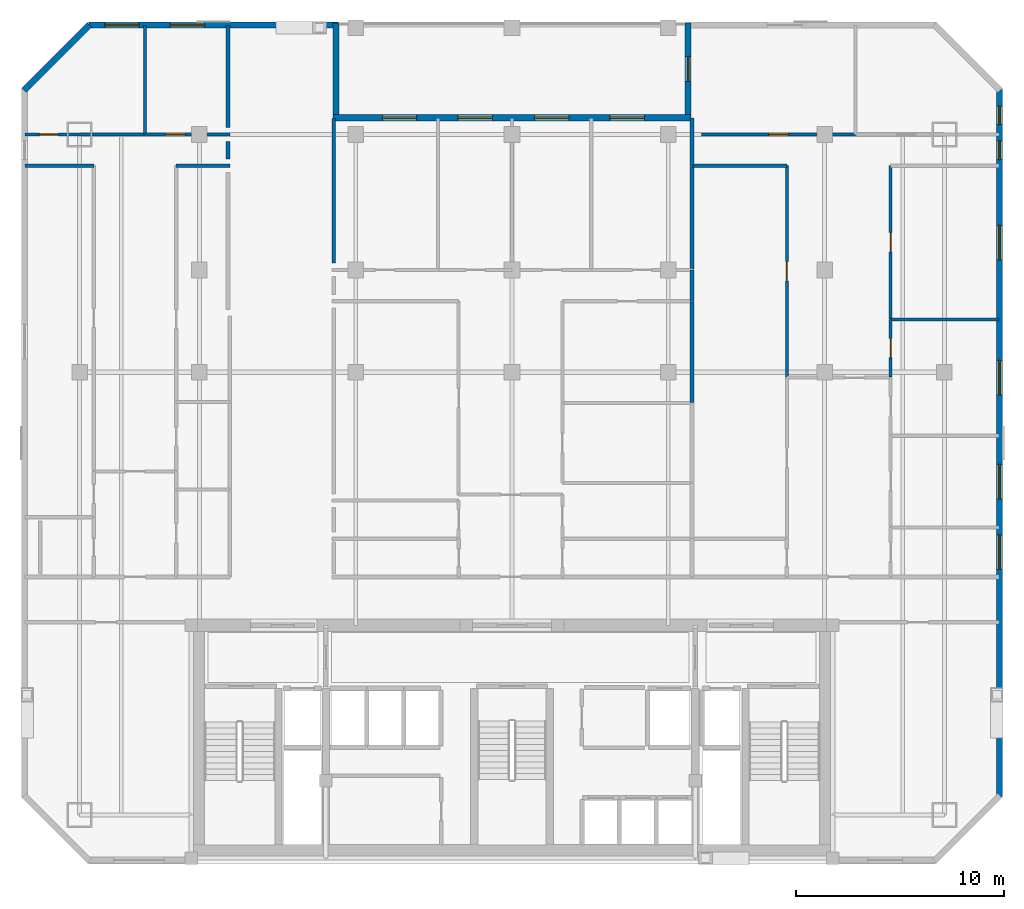
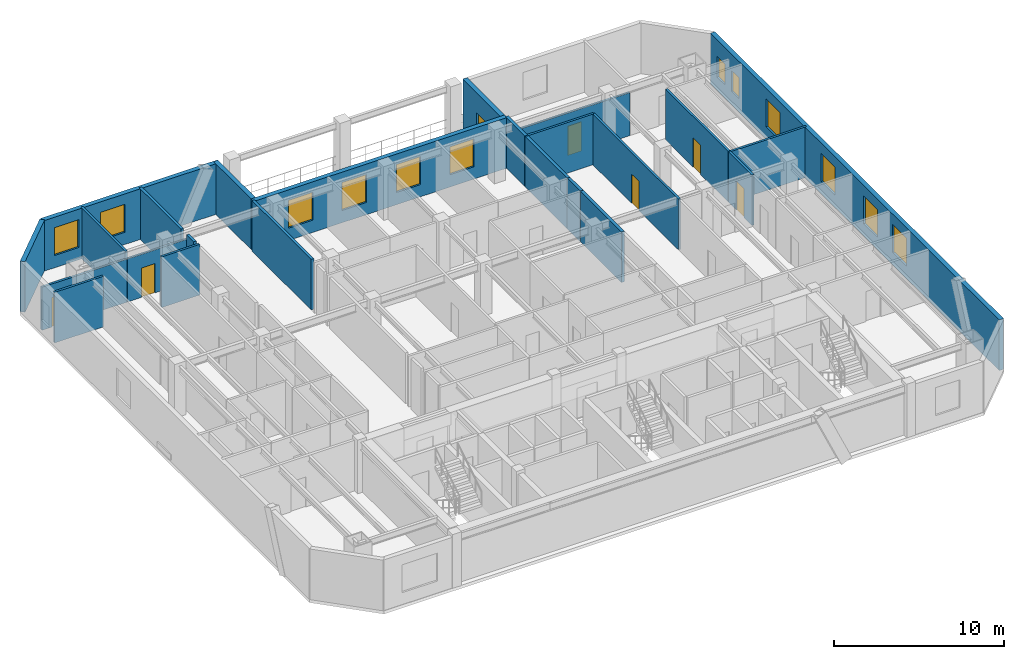
# One storey, part 6 of 8: 24 walls, 12 windows, 7 doors, 19 openings.
"""IFC4 building model written with IfcOpenShell, lengths in metres."""

from ifc_helpers import new_model, si_unit, direction, frame, frame_2d, origin, place, context, subcontext, project, spatial, rectangle, extrude, material, layer, layer_set, type_object, element, fill, save


model = new_model("IFC4")

# Units and contexts
model_context = context("Model", 3, precision=1e-05, world=origin(), true_north=direction((0.0, 1.0)))
body_context = subcontext(model_context, "Body", "Model", "MODEL_VIEW")
ifc_project = project(units=[si_unit("LENGTHUNIT", "METRE"), si_unit("AREAUNIT", "SQUARE_METRE"), si_unit("VOLUMEUNIT", "CUBIC_METRE"), si_unit("PLANEANGLEUNIT", "RADIAN"), si_unit("MASSUNIT", "GRAM", prefix="KILO")], contexts=[model_context])

# Site, building, storey
site_placement = place(None, origin())
site = spatial("IfcSite", under=ifc_project, at=site_placement, CompositionType="ELEMENT")
building_placement = place(site_placement, origin())
building = spatial("IfcBuilding", under=site, at=building_placement, Name="Ventersveld Concourse Tower", CompositionType="ELEMENT")
storey_placement = place(building_placement, frame((0.0, 0.0, 196.449951171875)))
storey = spatial("IfcBuildingStorey", under=building, at=storey_placement, Name="L48", CompositionType="ELEMENT", Elevation=196.449951171875)

# Walls
ifc_material_1 = material(Name="Fire-rated autoclaved aerated masonry blockwork", Category="masonry")
ifc_layer_1 = layer(ifc_material_1, 0.179931640625)
ifc_layer_set_1 = layer_set([ifc_layer_1], Name="Fire-rated autoclaved aerated masonry blockwork")
wall_type_1 = type_object("IfcWallType", Name="WL-CORR-180", PredefinedType="PARTITIONING", material=ifc_layer_set_1)
wall_1_placement = place(storey_placement, frame((15.1201171875, 34.675048828125, 0.0), z_axis=(0.0, 0.0, 1.0), x_axis=(0.0, -1.0, 0.0)))
element("IfcWall", 1, at=wall_1_placement, inside=storey, type_object=wall_type_1, Name="L48 Room Enclosure Wall SP-L48-48NW-LIV", PredefinedType="PARTITIONING", context=body_context, shape_type="SweptSolid", body=[
    extrude(rectangle(XDim=0.85009765625, YDim=0.179931640625, at=frame_2d((0.425048828125, 0.0))), origin(), (0.0, 0.0, 1.0), 3.630126953125),
])
wall_2_placement = place(storey_placement, frame((15.1201171875, 40.2275390625, 0.0), z_axis=(0.0, 0.0, 1.0), x_axis=(0.0, -1.0, 0.0)))
element("IfcWall", 2, at=wall_2_placement, inside=storey, type_object=wall_type_1, Name="L48 Room Enclosure Wall SP-L48-48NW-BR2", PredefinedType="PARTITIONING", context=body_context, shape_type="SweptSolid", body=[
    extrude(rectangle(XDim=4.902587890625, YDim=0.179931640625, at=frame_2d((2.451171875, 0.0))), origin(), (0.0, 0.0, 1.0), 3.630126953125),
])
wall_3_placement = place(storey_placement, frame((20.199951171875, 28.824951171875, 0.0), z_axis=(0.0, 0.0, 1.0), x_axis=(0.0, 1.0, 0.0)))
element("IfcWall", 3, at=wall_3_placement, inside=storey, type_object=wall_type_1, Name="L48 Room Enclosure Wall SP-L48-48CM-BR1", PredefinedType="PARTITIONING", context=body_context, shape_type="SweptSolid", body=[
    extrude(rectangle(XDim=6.95263671875, YDim=0.179931640625, at=frame_2d((3.476318359375, 0.0))), origin(), (0.0, 0.0, 1.0), 3.630126953125),
])
ifc_layer_2 = layer(ifc_material_1, 0.199951171875)
ifc_layer_set_2 = layer_set([ifc_layer_2], Name="Fire-rated autoclaved aerated masonry blockwork")
wall_type_2 = type_object("IfcWallType", Name="WL-DEMISE-200", PredefinedType="PARTITIONING", material=ifc_layer_set_2)
wall_4_placement = place(storey_placement, frame((37.389892578125, 33.4951171875, 0.0), z_axis=(0.0, 0.0, 1.0), x_axis=(0.0, 1.0, 0.0)))
element("IfcWall", 4, at=wall_4_placement, inside=storey, type_object=wall_type_2, Name="L48 Interior Partition SP-L48-48CE-LIV-SP-L48-48CM-BR4", PredefinedType="PARTITIONING", context=body_context, shape_type="SweptSolid", body=[
    extrude(rectangle(XDim=2.2880859375, YDim=0.199951171875, at=frame_2d((1.14404296875, 0.0))), origin(), (0.0, 0.0, 1.0), 3.630126953125),
])
wall_5_placement = place(storey_placement, frame((37.389892578125, 26.9951171875, 0.0), z_axis=(0.0, 0.0, 1.0), x_axis=(0.0, 1.0, 0.0)))
element("IfcWall", 5, at=wall_5_placement, inside=storey, type_object=wall_type_2, Name="L48 Interior Partition SP-L48-48CE-OFFL0-SP-L48-48CM-LIV", PredefinedType="PARTITIONING", context=body_context, shape_type="SweptSolid", body=[
    extrude(rectangle(XDim=1.509765625, YDim=0.199951171875, at=frame_2d((0.7548828125, 0.0))), origin(), (0.0, 0.0, 1.0), 3.630126953125),
])
wall_6_placement = place(storey_placement, frame((37.389892578125, 22.150390625, 0.0), z_axis=(0.0, 0.0, 1.0), x_axis=(0.0, 1.0, 0.0)))
element("IfcWall", 6, at=wall_6_placement, inside=storey, type_object=wall_type_2, Name="L48 Interior Partition SP-L48-48CE-OFFL0-SP-L48-48CM-DENS2", PredefinedType="PARTITIONING", context=body_context, shape_type="SweptSolid", body=[
    extrude(rectangle(XDim=4.814697265625, YDim=0.199951171875, at=frame_2d((2.4072265625, 0.0))), origin(), (0.0, 0.0, 1.0), 3.630126953125),
])
wall_7_placement = place(storey_placement, frame((37.389892578125, 28.534912109375, 0.0), z_axis=(0.0, 0.0, 1.0), x_axis=(0.0, 1.0, 0.0)))
element("IfcWall", 7, at=wall_7_placement, inside=storey, type_object=wall_type_2, Name="L48 Interior Partition SP-L48-48CE-OFFL0-SP-L48-48CM-BR4", PredefinedType="PARTITIONING", context=body_context, shape_type="SweptSolid", body=[
    extrude(rectangle(XDim=4.93017578125, YDim=0.199951171875, at=frame_2d((2.465087890625, 0.0))), origin(), (0.0, 0.0, 1.0), 3.630126953125),
])
ifc_material_2 = material(Name="Autoclaved aerated masonry blockwork", Category="masonry")
ifc_layer_3 = layer(ifc_material_2, 0.14990234375)
ifc_layer_set_3 = layer_set([ifc_layer_3], Name="Autoclaved aerated masonry blockwork")
wall_type_3 = type_object("IfcWallType", Name="WL-INT-150", PredefinedType="PARTITIONING", material=ifc_layer_set_3)
wall_8_placement = place(storey_placement, frame((5.37255859375, 33.5, 0.0), z_axis=(0.0, 0.0, 1.0), x_axis=(1.0, 0.0, 0.0)))
element("IfcWall", 8, at=wall_8_placement, inside=storey, type_object=wall_type_3, Name="L48 Interior Partition SP-L48-48NW-LIV-SP-L48-48NW-OFFL0", PredefinedType="PARTITIONING", context=body_context, shape_type="SweptSolid", body=[
    extrude(rectangle(XDim=3.309814453125, YDim=0.14990234375, at=frame_2d((1.65478515625, 0.0))), origin(), (0.0, 0.0, 1.0), 3.630126953125),
])
wall_9_placement = place(storey_placement, frame((12.63232421875, 33.5, 0.0), z_axis=(0.0, 0.0, 1.0), x_axis=(1.0, 0.0, 0.0)))
element("IfcWall", 9, at=wall_9_placement, inside=storey, type_object=wall_type_3, Name="L48 Interior Partition SP-L48-48NW-LIV-SP-L48-48NW-DENR", PredefinedType="PARTITIONING", context=body_context, shape_type="SweptSolid", body=[
    extrude(rectangle(XDim=2.582763671875, YDim=0.14990234375, at=frame_2d((1.29150390625, 0.0))), origin(), (0.0, 0.0, 1.0), 3.630126953125),
])

# Wall, opening, door
wall_10_placement = place(storey_placement, frame((5.37255859375, 35.0, 0.0), z_axis=(0.0, 0.0, 1.0), x_axis=(1.0, 0.0, 0.0)))
wall_10 = element("IfcWall", 10, at=wall_10_placement, inside=storey, type_object=wall_type_3, Name="L48 Interior Partition SP-L48-48NW-LIV-SP-L48-48NW-BR1", PredefinedType="PARTITIONING", context=body_context, shape_type="SweptSolid", body=[
    extrude(rectangle(XDim=5.771240234375, YDim=0.14990234375, at=frame_2d((2.8857421875, 0.0))), origin(), (0.0, 0.0, 1.0), 3.08544921875),
])
opening_1_placement = place(wall_10_placement, frame((0.6943359375, 0.0, 0.0)))
opening_1 = element("IfcOpeningElement", 11, at=opening_1_placement, cuts=wall_10, Name="Opening ID1", PredefinedType="OPENING", context=body_context, shape_type="SweptSolid", body=[
    extrude(rectangle(XDim=0.919921875, YDim=2.10009765625, at=frame_2d((0.4599609375, 1.050048828125))), frame((0.0, 0.0849609375, 0.0), z_axis=(0.0, -1.0, 0.0), x_axis=(1.0, 0.0, 0.0)), (0.0, 0.0, 1.0), 0.169921875),
])
ifc_material_3 = material(Name="Solid-core hardwood veneer timber", Category="wood")
door_type_1 = type_object("IfcDoorType", Name="DR-ROOM-092", OperationType="NOTDEFINED", PredefinedType="DOOR", material=ifc_material_3)
door_1_placement = place(opening_1_placement, origin())
door_1 = element("IfcDoor", 12, at=door_1_placement, inside=storey, type_object=door_type_1, Name="L48 Interior Door SP-L48-48NW-LIV to SP-L48-48NW-BR1 (D-L48-2356)", OperationType="SINGLE_SWING_RIGHT", OverallHeight=2.10009765625, OverallWidth=0.919921875, PredefinedType="DOOR", context=body_context, shape_type="SweptSolid", body=[
    extrude(rectangle(XDim=0.919921875, YDim=2.10009765625, at=frame_2d((0.4599609375, 1.050048828125))), frame((0.0, 0.02490234375, 0.0), z_axis=(0.0, -1.0, 0.0), x_axis=(1.0, 0.0, 0.0)), (0.0, 0.0, 1.0), 0.050048828125),
])
fill(opening_1, door_1)

wall_11_placement = place(storey_placement, frame((11.173828125, 35.0, 0.0), z_axis=(0.0, 0.0, 1.0), x_axis=(1.0, 0.0, 0.0)))
wall_11 = element("IfcWall", 13, at=wall_11_placement, inside=storey, type_object=wall_type_3, Name="L48 Interior Partition SP-L48-48NW-LIV-SP-L48-48NW-BR2", PredefinedType="PARTITIONING", context=body_context, shape_type="SweptSolid", body=[
    extrude(rectangle(XDim=4.041259765625, YDim=0.14990234375, at=frame_2d((2.0205078125, 0.0))), origin(), (0.0, 0.0, 1.0), 3.08544921875),
])
opening_2_placement = place(wall_11_placement, frame((0.954345703125, 0.0, 0.0)))
opening_2 = element("IfcOpeningElement", 14, at=opening_2_placement, cuts=wall_11, Name="Opening ID1", PredefinedType="OPENING", context=body_context, shape_type="SweptSolid", body=[
    extrude(rectangle(XDim=0.919921875, YDim=2.10009765625, at=frame_2d((0.4599609375, 1.050048828125))), frame((0.0, 0.0849609375, 0.0), z_axis=(0.0, -1.0, 0.0), x_axis=(1.0, 0.0, 0.0)), (0.0, 0.0, 1.0), 0.169921875),
])
door_2_placement = place(opening_2_placement, origin())
door_2 = element("IfcDoor", 15, at=door_2_placement, inside=storey, type_object=door_type_1, Name="L48 Interior Door SP-L48-48NW-LIV to SP-L48-48NW-BR2 (D-L48-2357)", OperationType="SINGLE_SWING_LEFT", OverallHeight=2.10009765625, OverallWidth=0.919921875, PredefinedType="DOOR", context=body_context, shape_type="SweptSolid", body=[
    extrude(rectangle(XDim=0.919921875, YDim=2.10009765625, at=frame_2d((0.4599609375, 1.050048828125))), frame((0.0, 0.02490234375, 0.0), z_axis=(0.0, -1.0, 0.0), x_axis=(1.0, 0.0, 0.0)), (0.0, 0.0, 1.0), 0.050048828125),
])
fill(opening_2, door_2)

# Wall
wall_12_placement = place(storey_placement, frame((11.138916015625, 34.9951171875, 0.0), z_axis=(0.0, 0.0, 1.0), x_axis=(0.0, 1.0, 0.0)))
element("IfcWall", 16, at=wall_12_placement, inside=storey, type_object=wall_type_3, Name="L48 Interior Partition SP-L48-48NW-BR1-SP-L48-48NW-BR2", PredefinedType="PARTITIONING", context=body_context, shape_type="SweptSolid", body=[
    extrude(rectangle(XDim=5.232421875, YDim=0.14990234375, at=frame_2d((2.6162109375, 0.0))), origin(), (0.0, 0.0, 1.0), 3.630126953125),
])

# Wall, opening, door
wall_13_placement = place(storey_placement, frame((41.93994140625, 23.370849609375, 0.0), z_axis=(0.0, 0.0, 1.0), x_axis=(0.0, 1.0, 0.0)))
wall_13 = element("IfcWall", 17, at=wall_13_placement, inside=storey, type_object=wall_type_3, Name="L48 Interior Partition SP-L48-48CE-LIV-SP-L48-48CE-OFFL0", PredefinedType="PARTITIONING", context=body_context, shape_type="SweptSolid", body=[
    extrude(rectangle(XDim=10.134033203125, YDim=0.14990234375, at=frame_2d((5.06689453125, 0.0))), origin(), (0.0, 0.0, 1.0), 3.630126953125),
])
opening_3_placement = place(wall_13_placement, frame((4.607177734375, 0.0, 0.0)))
opening_3 = element("IfcOpeningElement", 18, at=opening_3_placement, cuts=wall_13, Name="Opening ID1", PredefinedType="OPENING", context=body_context, shape_type="SweptSolid", body=[
    extrude(rectangle(XDim=0.919921875, YDim=2.10009765625, at=frame_2d((0.4599609375, 1.050048828125))), frame((0.0, 0.0849609375, 0.0), z_axis=(0.0, -1.0, 0.0), x_axis=(1.0, 0.0, 0.0)), (0.0, 0.0, 1.0), 0.169921875),
])
door_3_placement = place(opening_3_placement, origin())
door_3 = element("IfcDoor", 19, at=door_3_placement, inside=storey, type_object=door_type_1, Name="L48 Interior Door SP-L48-48CE-LIV to SP-L48-48CE-OFFL0 (D-L48-2364)", OperationType="SINGLE_SWING_RIGHT", OverallHeight=2.10009765625, OverallWidth=0.919921875, PredefinedType="DOOR", context=body_context, shape_type="SweptSolid", body=[
    extrude(rectangle(XDim=0.919921875, YDim=2.10009765625, at=frame_2d((0.4599609375, 1.050048828125))), frame((0.0, 0.02490234375, 0.0), z_axis=(0.0, -1.0, 0.0), x_axis=(1.0, 0.0, 0.0)), (0.0, 0.0, 1.0), 0.050048828125),
])
fill(opening_3, door_3)

# Wall
wall_14_placement = place(storey_placement, frame((37.385009765625, 33.5, 0.0), z_axis=(0.0, 0.0, 1.0), x_axis=(1.0, 0.0, 0.0)))
element("IfcWall", 20, at=wall_14_placement, inside=storey, type_object=wall_type_3, Name="L48 Interior Partition SP-L48-48CE-LIV-SP-L48-48CE-OFFL0", PredefinedType="PARTITIONING", context=body_context, shape_type="SweptSolid", body=[
    extrude(rectangle(XDim=4.56005859375, YDim=0.14990234375, at=frame_2d((2.280029296875, 0.0))), origin(), (0.0, 0.0, 1.0), 3.630126953125),
])

# Wall, opening, door
wall_15_placement = place(storey_placement, frame((46.919921875, 23.370849609375, 0.0), z_axis=(0.0, 0.0, 1.0), x_axis=(0.0, 1.0, 0.0)))
wall_15 = element("IfcWall", 21, at=wall_15_placement, inside=storey, type_object=wall_type_3, Name="L48 Interior Partition SP-L48-48CE-LIV-SP-L48-48CE-DENS", PredefinedType="PARTITIONING", context=body_context, shape_type="SweptSolid", body=[
    extrude(rectangle(XDim=2.757568359375, YDim=0.14990234375, at=frame_2d((1.37890625, 0.0))), origin(), (0.0, 0.0, 1.0), 3.630126953125),
])
opening_4_placement = place(wall_15_placement, frame((0.918701171875, 0.0, 0.0)))
opening_4 = element("IfcOpeningElement", 22, at=opening_4_placement, cuts=wall_15, Name="Opening ID1", PredefinedType="OPENING", context=body_context, shape_type="SweptSolid", body=[
    extrude(rectangle(XDim=0.919921875, YDim=2.10009765625, at=frame_2d((0.4599609375, 1.050048828125))), frame((0.0, 0.0849609375, 0.0), z_axis=(0.0, -1.0, 0.0), x_axis=(1.0, 0.0, 0.0)), (0.0, 0.0, 1.0), 0.169921875),
])
door_4_placement = place(opening_4_placement, origin())
door_4 = element("IfcDoor", 23, at=door_4_placement, inside=storey, type_object=door_type_1, Name="L48 Interior Door SP-L48-48CE-LIV to SP-L48-48CE-DENS (D-L48-2365)", OperationType="SINGLE_SWING_LEFT", OverallHeight=2.10009765625, OverallWidth=0.919921875, PredefinedType="DOOR", context=body_context, shape_type="SweptSolid", body=[
    extrude(rectangle(XDim=0.919921875, YDim=2.10009765625, at=frame_2d((0.4599609375, 1.050048828125))), frame((0.0, 0.02490234375, 0.0), z_axis=(0.0, -1.0, 0.0), x_axis=(1.0, 0.0, 0.0)), (0.0, 0.0, 1.0), 0.050048828125),
])
fill(opening_4, door_4)

wall_16_placement = place(storey_placement, frame((46.919921875, 26.158447265625, 0.0), z_axis=(0.0, 0.0, 1.0), x_axis=(0.0, 1.0, 0.0)))
wall_16 = element("IfcWall", 24, at=wall_16_placement, inside=storey, type_object=wall_type_3, Name="L48 Interior Partition SP-L48-48CE-LIV-SP-L48-48CE-DENS2", PredefinedType="PARTITIONING", context=body_context, shape_type="SweptSolid", body=[
    extrude(rectangle(XDim=7.346435546875, YDim=0.14990234375, at=frame_2d((3.67333984375, 0.0))), origin(), (0.0, 0.0, 1.0), 3.630126953125),
])
opening_5_placement = place(wall_16_placement, frame((3.21337890625, 0.0, 0.0)))
opening_5 = element("IfcOpeningElement", 25, at=opening_5_placement, cuts=wall_16, Name="Opening ID1", PredefinedType="OPENING", context=body_context, shape_type="SweptSolid", body=[
    extrude(rectangle(XDim=0.919921875, YDim=2.10009765625, at=frame_2d((0.4599609375, 1.050048828125))), frame((0.0, 0.0849609375, 0.0), z_axis=(0.0, -1.0, 0.0), x_axis=(1.0, 0.0, 0.0)), (0.0, 0.0, 1.0), 0.169921875),
])
door_5_placement = place(opening_5_placement, origin())
door_5 = element("IfcDoor", 26, at=door_5_placement, inside=storey, type_object=door_type_1, Name="L48 Interior Door SP-L48-48CE-LIV to SP-L48-48CE-DENS2 (D-L48-2366)", OperationType="SINGLE_SWING_RIGHT", OverallHeight=2.10009765625, OverallWidth=0.919921875, PredefinedType="DOOR", context=body_context, shape_type="SweptSolid", body=[
    extrude(rectangle(XDim=0.919921875, YDim=2.10009765625, at=frame_2d((0.4599609375, 1.050048828125))), frame((0.0, 0.02490234375, 0.0), z_axis=(0.0, -1.0, 0.0), x_axis=(1.0, 0.0, 0.0)), (0.0, 0.0, 1.0), 0.050048828125),
])
fill(opening_5, door_5)

wall_17_placement = place(storey_placement, frame((37.8349609375, 35.0, 0.0), z_axis=(0.0, 0.0, 1.0), x_axis=(1.0, 0.0, 0.0)))
wall_17 = element("IfcWall", 27, at=wall_17_placement, inside=storey, type_object=wall_type_3, Name="L48 Interior Partition SP-L48-48CE-LIV-SP-L48-48CE-BR1", PredefinedType="PARTITIONING", context=body_context, shape_type="SweptSolid", body=[
    extrude(rectangle(XDim=7.4072265625, YDim=0.14990234375, at=frame_2d((3.70361328125, 0.0))), origin(), (0.0, 0.0, 1.0), 3.08544921875),
])
opening_6_placement = place(wall_17_placement, frame((3.243408203125, 0.0, 0.0)))
opening_6 = element("IfcOpeningElement", 28, at=opening_6_placement, cuts=wall_17, Name="Opening ID1", PredefinedType="OPENING", context=body_context, shape_type="SweptSolid", body=[
    extrude(rectangle(XDim=0.919921875, YDim=2.10009765625, at=frame_2d((0.4599609375, 1.050048828125))), frame((0.0, 0.0849609375, 0.0), z_axis=(0.0, -1.0, 0.0), x_axis=(1.0, 0.0, 0.0)), (0.0, 0.0, 1.0), 0.169921875),
])
door_6_placement = place(opening_6_placement, origin())
door_6 = element("IfcDoor", 29, at=door_6_placement, inside=storey, type_object=door_type_1, Name="L48 Interior Door SP-L48-48CE-LIV to SP-L48-48CE-BR1 (D-L48-2367)", OperationType="SINGLE_SWING_LEFT", OverallHeight=2.10009765625, OverallWidth=0.919921875, PredefinedType="DOOR", context=body_context, shape_type="SweptSolid", body=[
    extrude(rectangle(XDim=0.919921875, YDim=2.10009765625, at=frame_2d((0.4599609375, 1.050048828125))), frame((0.0, 0.02490234375, 0.0), z_axis=(0.0, -1.0, 0.0), x_axis=(1.0, 0.0, 0.0)), (0.0, 0.0, 1.0), 0.050048828125),
])
fill(opening_6, door_6)

# Wall
wall_18_placement = place(storey_placement, frame((46.9150390625, 26.123291015625, 0.0), z_axis=(0.0, 0.0, 1.0), x_axis=(1.0, 0.0, 0.0)))
element("IfcWall", 30, at=wall_18_placement, inside=storey, type_object=wall_type_3, Name="L48 Interior Partition SP-L48-48CE-DENS-SP-L48-48CE-DENS2", PredefinedType="PARTITIONING", context=body_context, shape_type="SweptSolid", body=[
    extrude(rectangle(XDim=5.21240234375, YDim=0.14990234375, at=frame_2d((2.606201171875, 0.0))), origin(), (0.0, 0.0, 1.0), 3.630126953125),
])

# Wall, openings, windows
ifc_material_4 = material(Name="Precast concrete C45/55", Category="concrete")
ifc_layer_4 = layer(ifc_material_4, 0.300048828125)
ifc_layer_set_4 = layer_set([ifc_layer_4], Name="Precast concrete C45/55")
wall_type_4 = type_object("IfcWallType", Name="WL-PREC-300", PredefinedType="SOLIDWALL", material=ifc_layer_set_4)
wall_19_placement = place(storey_placement, frame((52.14990234375, 3.239990234375, 0.0), z_axis=(0.0, 0.0, 1.0), x_axis=(0.0, 1.0, 0.0)))
wall_19 = element("IfcWall", 31, at=wall_19_placement, inside=storey, type_object=wall_type_4, Name="L48 Highveld Precast Facade Wall E03", PredefinedType="SOLIDWALL", context=body_context, shape_type="SweptSolid", body=[
    extrude(rectangle(XDim=33.919921875, YDim=0.300048828125, at=frame_2d((16.9599609375, 0.0))), origin(), (0.0, 0.0, 1.0), 3.630126953125),
])
opening_7_placement = place(wall_19_placement, frame((30.56005859375, 0.0, 0.949951171875)))
opening_7 = element("IfcOpeningElement", 32, at=opening_7_placement, cuts=wall_19, Name="Opening W4", PredefinedType="OPENING", context=body_context, shape_type="SweptSolid", body=[
    extrude(rectangle(XDim=0.89990234375, YDim=1.5, at=frame_2d((0.449951171875, 0.75))), frame((0.0, 0.16015625, 0.0), z_axis=(0.0, -1.0, 0.0), x_axis=(1.0, 0.0, 0.0)), (0.0, 0.0, 1.0), 0.320068359375),
])
opening_8_placement = place(wall_19_placement, frame((10.893310546875, 0.0, 0.8798828125)))
opening_8 = element("IfcOpeningElement", 33, at=opening_8_placement, cuts=wall_19, Name="Opening W6", PredefinedType="OPENING", context=body_context, shape_type="SweptSolid", body=[
    extrude(rectangle(XDim=1.64990234375, YDim=2.0, at=frame_2d((0.824951171875, 1.0))), frame((0.0, 0.16015625, 0.0), z_axis=(0.0, -1.0, 0.0), x_axis=(1.0, 0.0, 0.0)), (0.0, 0.0, 1.0), 0.320068359375),
])
opening_9_placement = place(wall_19_placement, frame((14.27978515625, 0.0, 0.8798828125)))
opening_9 = element("IfcOpeningElement", 34, at=opening_9_placement, cuts=wall_19, Name="Opening W6", PredefinedType="OPENING", context=body_context, shape_type="SweptSolid", body=[
    extrude(rectangle(XDim=1.64990234375, YDim=2.0, at=frame_2d((0.824951171875, 1.0))), frame((0.0, 0.16015625, 0.0), z_axis=(0.0, -1.0, 0.0), x_axis=(1.0, 0.0, 0.0)), (0.0, 0.0, 1.0), 0.320068359375),
])
opening_10_placement = place(wall_19_placement, frame((19.268310546875, 0.0, 0.8798828125)))
opening_10 = element("IfcOpeningElement", 35, at=opening_10_placement, cuts=wall_19, Name="Opening W6", PredefinedType="OPENING", context=body_context, shape_type="SweptSolid", body=[
    extrude(rectangle(XDim=1.64990234375, YDim=2.0, at=frame_2d((0.824951171875, 1.0))), frame((0.0, 0.16015625, 0.0), z_axis=(0.0, -1.0, 0.0), x_axis=(1.0, 0.0, 0.0)), (0.0, 0.0, 1.0), 0.320068359375),
])
opening_11_placement = place(wall_19_placement, frame((25.74658203125, 0.0, 0.8798828125)))
opening_11 = element("IfcOpeningElement", 36, at=opening_11_placement, cuts=wall_19, Name="Opening W6", PredefinedType="OPENING", context=body_context, shape_type="SweptSolid", body=[
    extrude(rectangle(XDim=1.64990234375, YDim=2.0, at=frame_2d((0.824951171875, 1.0))), frame((0.0, 0.16015625, 0.0), z_axis=(0.0, -1.0, 0.0), x_axis=(1.0, 0.0, 0.0)), (0.0, 0.0, 1.0), 0.320068359375),
])
opening_12_placement = place(wall_19_placement, frame((32.239990234375, 0.0, 0.949951171875)))
opening_12 = element("IfcOpeningElement", 37, at=opening_12_placement, cuts=wall_19, Name="Opening W4", PredefinedType="OPENING", context=body_context, shape_type="SweptSolid", body=[
    extrude(rectangle(XDim=0.89990234375, YDim=1.5, at=frame_2d((0.449951171875, 0.75))), frame((0.0, 0.16015625, 0.0), z_axis=(0.0, -1.0, 0.0), x_axis=(1.0, 0.0, 0.0)), (0.0, 0.0, 1.0), 0.320068359375),
])
ifc_material_5 = material(Name="Tempered acoustic Low-E IGU", Category="glass")
window_type_1 = type_object("IfcWindowType", Name="WIN-090x150", PartitioningType="SINGLE_PANEL", PredefinedType="WINDOW", material=ifc_material_5)
window_1_placement = place(opening_7_placement, origin())
window_1 = element("IfcWindow", 38, at=window_1_placement, inside=storey, type_object=window_type_1, Name="L48 Punched Low-E Window W-0675", OverallHeight=1.5, OverallWidth=0.89990234375, PartitioningType="SINGLE_PANEL", PredefinedType="WINDOW", context=body_context, shape_type="SweptSolid", body=[
    extrude(rectangle(XDim=0.89990234375, YDim=1.5, at=frame_2d((0.449951171875, 0.75))), frame((0.0, 0.030029296875, 0.0), z_axis=(0.0, -1.0, 0.0), x_axis=(1.0, 0.0, 0.0)), (0.0, 0.0, 1.0), 0.06005859375),
])
fill(opening_7, window_1)
window_2_placement = place(opening_12_placement, origin())
window_2 = element("IfcWindow", 39, at=window_2_placement, inside=storey, type_object=window_type_1, Name="L48 Punched Low-E Window W-0681", OverallHeight=1.5, OverallWidth=0.89990234375, PartitioningType="SINGLE_PANEL", PredefinedType="WINDOW", context=body_context, shape_type="SweptSolid", body=[
    extrude(rectangle(XDim=0.89990234375, YDim=1.5, at=frame_2d((0.449951171875, 0.75))), frame((0.0, 0.030029296875, 0.0), z_axis=(0.0, -1.0, 0.0), x_axis=(1.0, 0.0, 0.0)), (0.0, 0.0, 1.0), 0.06005859375),
])
fill(opening_12, window_2)
window_type_2 = type_object("IfcWindowType", Name="WIN-165x200", PartitioningType="SINGLE_PANEL", PredefinedType="WINDOW", material=ifc_material_5)
window_3_placement = place(opening_8_placement, origin())
window_3 = element("IfcWindow", 40, at=window_3_placement, inside=storey, type_object=window_type_2, Name="L48 Punched Low-E Window W-0676", OverallHeight=2.0, OverallWidth=1.64990234375, PartitioningType="SINGLE_PANEL", PredefinedType="WINDOW", context=body_context, shape_type="SweptSolid", body=[
    extrude(rectangle(XDim=1.64990234375, YDim=2.0, at=frame_2d((0.824951171875, 1.0))), frame((0.0, 0.030029296875, 0.0), z_axis=(0.0, -1.0, 0.0), x_axis=(1.0, 0.0, 0.0)), (0.0, 0.0, 1.0), 0.06005859375),
])
fill(opening_8, window_3)
window_4_placement = place(opening_9_placement, origin())
window_4 = element("IfcWindow", 41, at=window_4_placement, inside=storey, type_object=window_type_2, Name="L48 Punched Low-E Window W-0677", OverallHeight=2.0, OverallWidth=1.64990234375, PartitioningType="SINGLE_PANEL", PredefinedType="WINDOW", context=body_context, shape_type="SweptSolid", body=[
    extrude(rectangle(XDim=1.64990234375, YDim=2.0, at=frame_2d((0.824951171875, 1.0))), frame((0.0, 0.030029296875, 0.0), z_axis=(0.0, -1.0, 0.0), x_axis=(1.0, 0.0, 0.0)), (0.0, 0.0, 1.0), 0.06005859375),
])
fill(opening_9, window_4)
window_5_placement = place(opening_10_placement, origin())
window_5 = element("IfcWindow", 42, at=window_5_placement, inside=storey, type_object=window_type_2, Name="L48 Punched Low-E Window W-0678", OverallHeight=2.0, OverallWidth=1.64990234375, PartitioningType="SINGLE_PANEL", PredefinedType="WINDOW", context=body_context, shape_type="SweptSolid", body=[
    extrude(rectangle(XDim=1.64990234375, YDim=2.0, at=frame_2d((0.824951171875, 1.0))), frame((0.0, 0.030029296875, 0.0), z_axis=(0.0, -1.0, 0.0), x_axis=(1.0, 0.0, 0.0)), (0.0, 0.0, 1.0), 0.06005859375),
])
fill(opening_10, window_5)
window_6_placement = place(opening_11_placement, origin())
window_6 = element("IfcWindow", 43, at=window_6_placement, inside=storey, type_object=window_type_2, Name="L48 Punched Low-E Window W-0679", OverallHeight=2.0, OverallWidth=1.64990234375, PartitioningType="SINGLE_PANEL", PredefinedType="WINDOW", context=body_context, shape_type="SweptSolid", body=[
    extrude(rectangle(XDim=1.64990234375, YDim=2.0, at=frame_2d((0.824951171875, 1.0))), frame((0.0, 0.030029296875, 0.0), z_axis=(0.0, -1.0, 0.0), x_axis=(1.0, 0.0, 0.0)), (0.0, 0.0, 1.0), 0.06005859375),
])
fill(opening_11, window_6)

# Wall, opening, door
wall_20_placement = place(storey_placement, frame((37.199951171875, 40.360107421875, 0.0), z_axis=(0.0, 0.0, 1.0), x_axis=(0.0, -1.0, 0.0)))
wall_20 = element("IfcWall", 44, at=wall_20_placement, inside=storey, type_object=wall_type_4, Name="L48 Highveld Precast Facade Wall E06", PredefinedType="SOLIDWALL", context=body_context, shape_type="SweptSolid", body=[
    extrude(rectangle(XDim=4.41015625, YDim=0.300048828125, at=frame_2d((2.205078125, 0.0))), origin(), (0.0, 0.0, 1.0), 3.630126953125),
])
opening_13_placement = place(wall_20_placement, frame((1.60498046875, 0.0, 0.0)))
opening_13 = element("IfcOpeningElement", 45, at=opening_13_placement, cuts=wall_20, Name="Opening TD1", PredefinedType="OPENING", context=body_context, shape_type="SweptSolid", body=[
    extrude(rectangle(XDim=1.199951171875, YDim=2.199951171875, at=frame_2d((0.60009765625, 1.10009765625))), frame((0.0, 0.16015625, 0.0), z_axis=(0.0, -1.0, 0.0), x_axis=(1.0, 0.0, 0.0)), (0.0, 0.0, 1.0), 0.320068359375),
])
ifc_material_6 = material(Name="Anodised aluminium EN AW-6063-T6", Category="aluminium")
door_type_2 = type_object("IfcDoorType", Name="DR-TERR-120", OperationType="NOTDEFINED", PredefinedType="DOOR", material=ifc_material_6)
door_7_placement = place(opening_13_placement, frame((1.199951171875, 0.0, 0.0), z_axis=(0.0, 0.0, 1.0), x_axis=(-1.0, 0.0, 0.0)))
door_7 = element("IfcDoor", 46, at=door_7_placement, inside=storey, type_object=door_type_2, Name="L48 Stepped Valley Terrace Door TD-L48-01", OperationType="SINGLE_SWING_LEFT", OverallHeight=2.199951171875, OverallWidth=1.199951171875, PredefinedType="DOOR", context=body_context, shape_type="SweptSolid", body=[
    extrude(rectangle(XDim=1.199951171875, YDim=2.199951171875, at=frame_2d((0.60009765625, 1.10009765625))), frame((0.0, 0.02490234375, 0.0), z_axis=(0.0, -1.0, 0.0), x_axis=(1.0, 0.0, 0.0)), (0.0, 0.0, 1.0), 0.050048828125),
])
fill(opening_13, door_7)

# Wall, openings, windows
wall_21_placement = place(storey_placement, frame((37.35009765625, 35.800048828125, 0.0), z_axis=(0.0, 0.0, 1.0), x_axis=(-1.0, 0.0, 0.0)))
wall_21 = element("IfcWall", 47, at=wall_21_placement, inside=storey, type_object=wall_type_4, Name="L48 Highveld Precast Facade Wall E07", PredefinedType="SOLIDWALL", context=body_context, shape_type="SweptSolid", body=[
    extrude(rectangle(XDim=17.2001953125, YDim=0.300048828125, at=frame_2d((8.60009765625, 0.0))), origin(), (0.0, 0.0, 1.0), 3.630126953125),
])
opening_14_placement = place(wall_21_placement, frame((13.172607421875, 0.0, 0.8798828125)))
opening_14 = element("IfcOpeningElement", 48, at=opening_14_placement, cuts=wall_21, Name="Opening W6", PredefinedType="OPENING", context=body_context, shape_type="SweptSolid", body=[
    extrude(rectangle(XDim=1.64990234375, YDim=2.0, at=frame_2d((0.824951171875, 1.0))), frame((0.0, 0.16015625, 0.0), z_axis=(0.0, -1.0, 0.0), x_axis=(1.0, 0.0, 0.0)), (0.0, 0.0, 1.0), 0.320068359375),
])
opening_15_placement = place(wall_21_placement, frame((9.546875, 0.0, 0.8798828125)))
opening_15 = element("IfcOpeningElement", 49, at=opening_15_placement, cuts=wall_21, Name="Opening W6", PredefinedType="OPENING", context=body_context, shape_type="SweptSolid", body=[
    extrude(rectangle(XDim=1.64990234375, YDim=2.0, at=frame_2d((0.824951171875, 1.0))), frame((0.0, 0.16015625, 0.0), z_axis=(0.0, -1.0, 0.0), x_axis=(1.0, 0.0, 0.0)), (0.0, 0.0, 1.0), 0.320068359375),
])
opening_16_placement = place(wall_21_placement, frame((5.873779296875, 0.0, 0.8798828125)))
opening_16 = element("IfcOpeningElement", 50, at=opening_16_placement, cuts=wall_21, Name="Opening W6", PredefinedType="OPENING", context=body_context, shape_type="SweptSolid", body=[
    extrude(rectangle(XDim=1.64990234375, YDim=2.0, at=frame_2d((0.824951171875, 1.0))), frame((0.0, 0.16015625, 0.0), z_axis=(0.0, -1.0, 0.0), x_axis=(1.0, 0.0, 0.0)), (0.0, 0.0, 1.0), 0.320068359375),
])
opening_17_placement = place(wall_21_placement, frame((2.248046875, 0.0, 0.8798828125)))
opening_17 = element("IfcOpeningElement", 51, at=opening_17_placement, cuts=wall_21, Name="Opening W6", PredefinedType="OPENING", context=body_context, shape_type="SweptSolid", body=[
    extrude(rectangle(XDim=1.64990234375, YDim=2.0, at=frame_2d((0.824951171875, 1.0))), frame((0.0, 0.16015625, 0.0), z_axis=(0.0, -1.0, 0.0), x_axis=(1.0, 0.0, 0.0)), (0.0, 0.0, 1.0), 0.320068359375),
])
window_7_placement = place(opening_14_placement, origin())
window_7 = element("IfcWindow", 52, at=window_7_placement, inside=storey, type_object=window_type_2, Name="L48 Punched Low-E Window W-0682", OverallHeight=2.0, OverallWidth=1.64990234375, PartitioningType="SINGLE_PANEL", PredefinedType="WINDOW", context=body_context, shape_type="SweptSolid", body=[
    extrude(rectangle(XDim=1.64990234375, YDim=2.0, at=frame_2d((0.824951171875, 1.0))), frame((0.0, 0.030029296875, 0.0), z_axis=(0.0, -1.0, 0.0), x_axis=(1.0, 0.0, 0.0)), (0.0, 0.0, 1.0), 0.06005859375),
])
fill(opening_14, window_7)
window_8_placement = place(opening_15_placement, origin())
window_8 = element("IfcWindow", 53, at=window_8_placement, inside=storey, type_object=window_type_2, Name="L48 Punched Low-E Window W-0683", OverallHeight=2.0, OverallWidth=1.64990234375, PartitioningType="SINGLE_PANEL", PredefinedType="WINDOW", context=body_context, shape_type="SweptSolid", body=[
    extrude(rectangle(XDim=1.64990234375, YDim=2.0, at=frame_2d((0.824951171875, 1.0))), frame((0.0, 0.030029296875, 0.0), z_axis=(0.0, -1.0, 0.0), x_axis=(1.0, 0.0, 0.0)), (0.0, 0.0, 1.0), 0.06005859375),
])
fill(opening_15, window_8)
window_9_placement = place(opening_16_placement, origin())
window_9 = element("IfcWindow", 54, at=window_9_placement, inside=storey, type_object=window_type_2, Name="L48 Punched Low-E Window W-0684", OverallHeight=2.0, OverallWidth=1.64990234375, PartitioningType="SINGLE_PANEL", PredefinedType="WINDOW", context=body_context, shape_type="SweptSolid", body=[
    extrude(rectangle(XDim=1.64990234375, YDim=2.0, at=frame_2d((0.824951171875, 1.0))), frame((0.0, 0.030029296875, 0.0), z_axis=(0.0, -1.0, 0.0), x_axis=(1.0, 0.0, 0.0)), (0.0, 0.0, 1.0), 0.06005859375),
])
fill(opening_16, window_9)
window_10_placement = place(opening_17_placement, origin())
window_10 = element("IfcWindow", 55, at=window_10_placement, inside=storey, type_object=window_type_2, Name="L48 Punched Low-E Window W-0685", OverallHeight=2.0, OverallWidth=1.64990234375, PartitioningType="SINGLE_PANEL", PredefinedType="WINDOW", context=body_context, shape_type="SweptSolid", body=[
    extrude(rectangle(XDim=1.64990234375, YDim=2.0, at=frame_2d((0.824951171875, 1.0))), frame((0.0, 0.030029296875, 0.0), z_axis=(0.0, -1.0, 0.0), x_axis=(1.0, 0.0, 0.0)), (0.0, 0.0, 1.0), 0.06005859375),
])
fill(opening_17, window_10)

# Wall
wall_22_placement = place(storey_placement, frame((20.300048828125, 35.949951171875, 0.0), z_axis=(0.0, 0.0, 1.0), x_axis=(0.0, 1.0, 0.0)))
element("IfcWall", 56, at=wall_22_placement, inside=storey, type_object=wall_type_4, Name="L48 Highveld Precast Facade Wall E08", PredefinedType="SOLIDWALL", context=body_context, shape_type="SweptSolid", body=[
    extrude(rectangle(XDim=4.41015625, YDim=0.300048828125, at=frame_2d((2.205078125, 0.0))), origin(), (0.0, 0.0, 1.0), 3.630126953125),
])

# Wall, openings, windows
wall_23_placement = place(storey_placement, frame((20.409912109375, 40.25, 0.0), z_axis=(0.0, 0.0, 1.0), x_axis=(-1.0, 0.0, 0.0)))
wall_23 = element("IfcWall", 57, at=wall_23_placement, inside=storey, type_object=wall_type_4, Name="L48 Highveld Precast Facade Wall E09", PredefinedType="SOLIDWALL", context=body_context, shape_type="SweptSolid", body=[
    extrude(rectangle(XDim=11.969970703125, YDim=0.300048828125, at=frame_2d((5.98486328125, 0.0))), origin(), (0.0, 0.0, 1.0), 3.630126953125),
])
opening_18_placement = place(wall_23_placement, frame((9.550048828125, 0.0, 0.8798828125)))
opening_18 = element("IfcOpeningElement", 58, at=opening_18_placement, cuts=wall_23, Name="Opening W6", PredefinedType="OPENING", context=body_context, shape_type="SweptSolid", body=[
    extrude(rectangle(XDim=1.64990234375, YDim=2.0, at=frame_2d((0.824951171875, 1.0))), frame((0.0, 0.16015625, 0.0), z_axis=(0.0, -1.0, 0.0), x_axis=(1.0, 0.0, 0.0)), (0.0, 0.0, 1.0), 0.320068359375),
])
opening_19_placement = place(wall_23_placement, frame((6.41064453125, 0.0, 0.8798828125)))
opening_19 = element("IfcOpeningElement", 59, at=opening_19_placement, cuts=wall_23, Name="Opening W6", PredefinedType="OPENING", context=body_context, shape_type="SweptSolid", body=[
    extrude(rectangle(XDim=1.64990234375, YDim=2.0, at=frame_2d((0.824951171875, 1.0))), frame((0.0, 0.16015625, 0.0), z_axis=(0.0, -1.0, 0.0), x_axis=(1.0, 0.0, 0.0)), (0.0, 0.0, 1.0), 0.320068359375),
])
window_11_placement = place(opening_18_placement, origin())
window_11 = element("IfcWindow", 60, at=window_11_placement, inside=storey, type_object=window_type_2, Name="L48 Punched Low-E Window W-0673", OverallHeight=2.0, OverallWidth=1.64990234375, PartitioningType="SINGLE_PANEL", PredefinedType="WINDOW", context=body_context, shape_type="SweptSolid", body=[
    extrude(rectangle(XDim=1.64990234375, YDim=2.0, at=frame_2d((0.824951171875, 1.0))), frame((0.0, 0.030029296875, 0.0), z_axis=(0.0, -1.0, 0.0), x_axis=(1.0, 0.0, 0.0)), (0.0, 0.0, 1.0), 0.06005859375),
])
fill(opening_18, window_11)
window_12_placement = place(opening_19_placement, origin())
window_12 = element("IfcWindow", 61, at=window_12_placement, inside=storey, type_object=window_type_2, Name="L48 Punched Low-E Window W-0674", OverallHeight=2.0, OverallWidth=1.64990234375, PartitioningType="SINGLE_PANEL", PredefinedType="WINDOW", context=body_context, shape_type="SweptSolid", body=[
    extrude(rectangle(XDim=1.64990234375, YDim=2.0, at=frame_2d((0.824951171875, 1.0))), frame((0.0, 0.030029296875, 0.0), z_axis=(0.0, -1.0, 0.0), x_axis=(1.0, 0.0, 0.0)), (0.0, 0.0, 1.0), 0.06005859375),
])
fill(opening_19, window_12)

# Wall
wall_24_placement = place(storey_placement, frame((8.477783203125, 40.265625, 0.0), z_axis=(0.0, 0.0, 1.0), x_axis=(-0.707106781187, -0.707106781187, 0.0)))
element("IfcWall", 62, at=wall_24_placement, inside=storey, type_object=wall_type_4, Name="L48 Highveld Precast Facade Wall E10", PredefinedType="SOLIDWALL", context=body_context, shape_type="SweptSolid", body=[
    extrude(rectangle(XDim=4.4453125, YDim=0.300048828125, at=frame_2d((2.22265625, 0.0))), origin(), (0.0, 0.0, 1.0), 3.630126953125),
])

save(model, "model.ifc")
